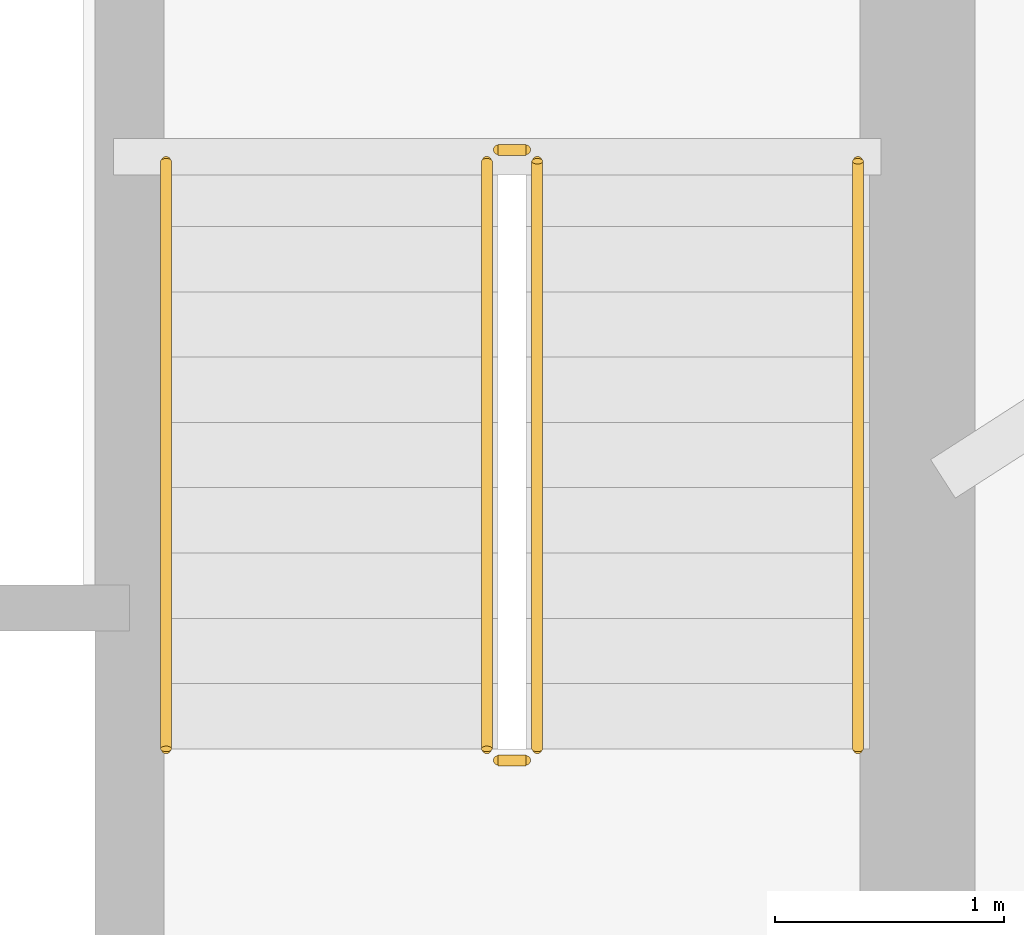
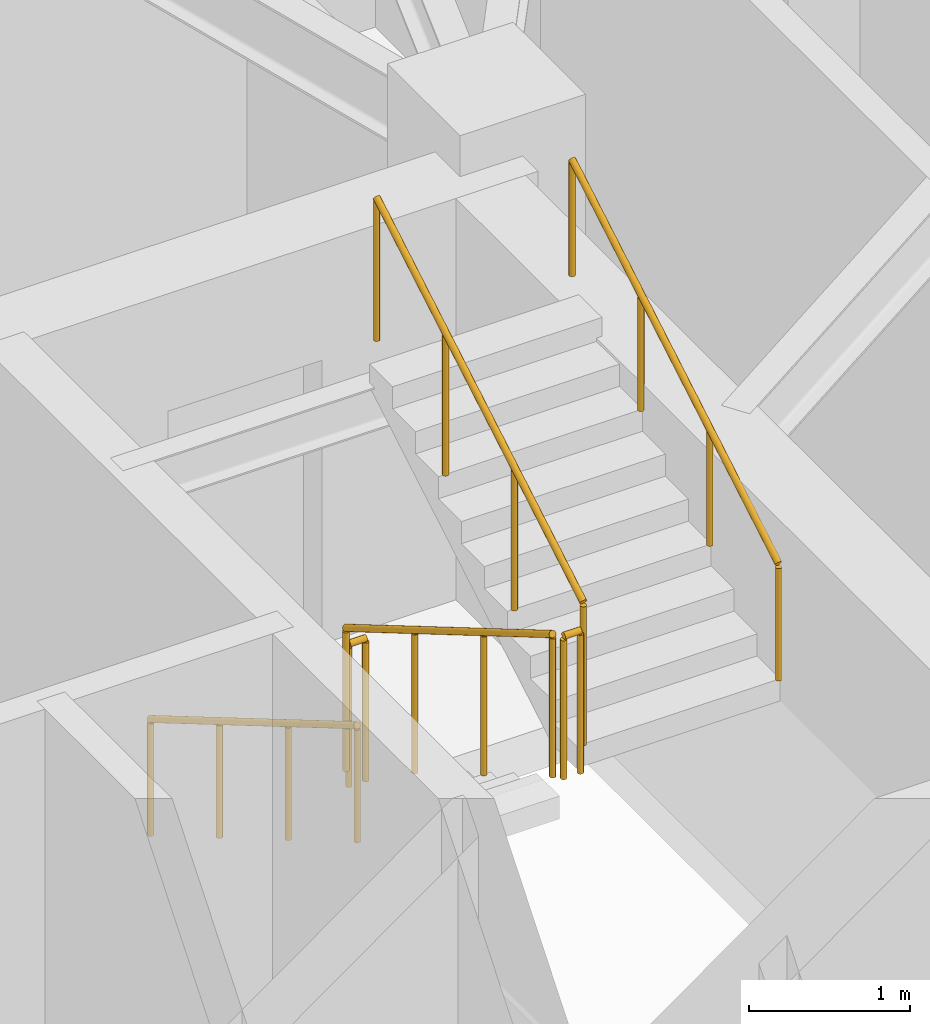
# One storey, part 19 of 19: 6 railings.
"""IFC4 building model written with IfcOpenShell, lengths in metres."""

from ifc_helpers import new_model, si_unit, direction, frame, origin, origin_2d, place, context, subcontext, project, spatial, circle, extrude, material, type_object, element, save


model = new_model("IFC4")

# Units and contexts
model_context = context("Model", 3, precision=1e-05, world=origin(), true_north=direction((0.0, 1.0)))
body_context = subcontext(model_context, "Body", "Model", "MODEL_VIEW")
ifc_project = project(units=[si_unit("LENGTHUNIT", "METRE"), si_unit("AREAUNIT", "SQUARE_METRE"), si_unit("VOLUMEUNIT", "CUBIC_METRE"), si_unit("PLANEANGLEUNIT", "RADIAN"), si_unit("MASSUNIT", "GRAM", prefix="KILO")], contexts=[model_context])

# Site, building, storey
site_placement = place(None, origin())
site = spatial("IfcSite", under=ifc_project, at=site_placement, CompositionType="ELEMENT")
building_placement = place(site_placement, origin())
building = spatial("IfcBuilding", under=site, at=building_placement, Name="Qobustan Lattice House", CompositionType="ELEMENT")
storey_placement = place(building_placement, frame((0.0, 0.0, 137.699951171875)))
storey = spatial("IfcBuildingStorey", under=building, at=storey_placement, Name="L38", CompositionType="ELEMENT", Elevation=137.699951171875)

# Railings
ifc_material_1 = material(Name="Brushed stainless steel handrail", Category="steel")
railing_type_1 = type_object("IfcRailingType", Name="RAL-HR-920", PredefinedType="HANDRAIL", material=ifc_material_1)
railing_1_placement = place(storey_placement, frame((15.179931640625, 3.5, 0.16748046875)))
element("IfcRailing", 1, at=railing_1_placement, inside=storey, type_object=railing_type_1, Name="L38 ST-E1 stair handrail 1", PredefinedType="HANDRAIL", context=body_context, shape_type="SweptSolid", body=[
    extrude(circle(Radius=0.02392578125, at=origin_2d()), frame((0.0, 0.0, 0.8759765625), z_axis=(0.0, -0.862113467892, 0.50671527358), x_axis=(1.0, 0.0, 0.0)), (0.0, 0.0, 1.0), 2.97509765625),
    extrude(circle(Radius=0.02099609375, at=origin_2d()), origin(), (0.0, 0.0, 1.0), 0.851806640625),
    extrude(circle(Radius=0.02099609375, at=origin_2d()), frame((0.0, -0.85498046875, 0.50244140625)), (0.0, 0.0, 1.0), 0.851806640625),
    extrude(circle(Radius=0.02099609375, at=origin_2d()), frame((0.0, -1.7099609375, 1.005126953125)), (0.0, 0.0, 1.0), 0.851806640625),
    extrude(circle(Radius=0.02099609375, at=origin_2d()), frame((0.0, -2.56494140625, 1.507568359375)), (0.0, 0.0, 1.0), 0.851806640625),
])
railing_2_placement = place(storey_placement, frame((18.199951171875, 0.93505859375, 1.842529296875)))
element("IfcRailing", 2, at=railing_2_placement, inside=storey, type_object=railing_type_1, Name="L38 ST-E1 stair handrail 2", PredefinedType="HANDRAIL", context=body_context, shape_type="SweptSolid", body=[
    extrude(circle(Radius=0.02392578125, at=origin_2d()), frame((0.0, 0.0, 0.8759765625), z_axis=(0.0, 0.862113467892, 0.50671527358), x_axis=(-1.0, 0.0, 0.0)), (0.0, 0.0, 1.0), 2.97509765625),
    extrude(circle(Radius=0.02099609375, at=origin_2d()), origin(), (0.0, 0.0, 1.0), 0.851806640625),
    extrude(circle(Radius=0.02099609375, at=origin_2d()), frame((0.0, 0.85498046875, 0.50244140625)), (0.0, 0.0, 1.0), 0.851806640625),
    extrude(circle(Radius=0.02099609375, at=origin_2d()), frame((0.0, 1.7099609375, 1.005126953125)), (0.0, 0.0, 1.0), 0.851806640625),
    extrude(circle(Radius=0.02099609375, at=origin_2d()), frame((0.0, 2.56494140625, 1.507568359375)), (0.0, 0.0, 1.0), 0.851806640625),
])
ifc_material_2 = material(Name="Painted galvanized steel guardrail", Category="steel")
railing_type_2 = type_object("IfcRailingType", Name="RAL-STG-1150", PredefinedType="GUARDRAIL", material=ifc_material_2)
railing_3_placement = place(storey_placement, frame((16.580078125, 3.5, 0.16748046875)))
element("IfcRailing", 3, at=railing_3_placement, inside=storey, type_object=railing_type_2, Name="L38 ST-E1 stair guard 1", PredefinedType="GUARDRAIL", context=body_context, shape_type="SweptSolid", body=[
    extrude(circle(Radius=0.02392578125, at=origin_2d()), frame((0.0, 0.0, 1.076171875), z_axis=(0.0, -0.862113467892, 0.50671527358), x_axis=(1.0, 0.0, 0.0)), (0.0, 0.0, 1.0), 2.97509765625),
    extrude(circle(Radius=0.02099609375, at=origin_2d()), origin(), (0.0, 0.0, 1.0), 1.052001953125),
    extrude(circle(Radius=0.02099609375, at=origin_2d()), frame((0.0, -0.85498046875, 0.50244140625)), (0.0, 0.0, 1.0), 1.052001953125),
    extrude(circle(Radius=0.02099609375, at=origin_2d()), frame((0.0, -1.7099609375, 1.005126953125)), (0.0, 0.0, 1.0), 1.052001953125),
    extrude(circle(Radius=0.02099609375, at=origin_2d()), frame((0.0, -2.56494140625, 1.507568359375)), (0.0, 0.0, 1.0), 1.052001953125),
])
railing_4_placement = place(storey_placement, frame((16.6298828125, 0.885009765625, 1.675048828125)))
element("IfcRailing", 4, at=railing_4_placement, inside=storey, type_object=railing_type_2, Name="L38 ST-E1 stair guard 2", PredefinedType="GUARDRAIL", context=body_context, shape_type="SweptSolid", body=[
    extrude(circle(Radius=0.02392578125, at=origin_2d()), frame((0.0, 0.0, 1.076171875), z_axis=(1.0, 0.0, 0.0), x_axis=(0.0, 1.0, 0.0)), (0.0, 0.0, 1.0), 0.1201171875),
    extrude(circle(Radius=0.02099609375, at=origin_2d()), origin(), (0.0, 0.0, 1.0), 1.052001953125),
    extrude(circle(Radius=0.02099609375, at=origin_2d()), frame((0.1201171875, 0.0, 0.0)), (0.0, 0.0, 1.0), 1.052001953125),
])
railing_5_placement = place(storey_placement, frame((16.800048828125, 0.93505859375, 1.842529296875)))
element("IfcRailing", 5, at=railing_5_placement, inside=storey, type_object=railing_type_2, Name="L38 ST-E1 stair guard 3", PredefinedType="GUARDRAIL", context=body_context, shape_type="SweptSolid", body=[
    extrude(circle(Radius=0.02392578125, at=origin_2d()), frame((0.0, 0.0, 1.076171875), z_axis=(0.0, 0.862113467892, 0.50671527358), x_axis=(-1.0, 0.0, 0.0)), (0.0, 0.0, 1.0), 2.97509765625),
    extrude(circle(Radius=0.02099609375, at=origin_2d()), origin(), (0.0, 0.0, 1.0), 1.052001953125),
    extrude(circle(Radius=0.02099609375, at=origin_2d()), frame((0.0, 0.85498046875, 0.50244140625)), (0.0, 0.0, 1.0), 1.052001953125),
    extrude(circle(Radius=0.02099609375, at=origin_2d()), frame((0.0, 1.7099609375, 1.005126953125)), (0.0, 0.0, 1.0), 1.052001953125),
    extrude(circle(Radius=0.02099609375, at=origin_2d()), frame((0.0, 2.56494140625, 1.507568359375)), (0.0, 0.0, 1.0), 1.052001953125),
])
railing_6_placement = place(storey_placement, frame((16.6298828125, 3.550048828125, 0.0)))
element("IfcRailing", 6, at=railing_6_placement, inside=storey, type_object=railing_type_2, Name="L38 ST-E1 stair guard 4", PredefinedType="GUARDRAIL", context=body_context, shape_type="SweptSolid", body=[
    extrude(circle(Radius=0.02392578125, at=origin_2d()), frame((0.0, 0.0, 1.076171875), z_axis=(1.0, 0.0, 0.0), x_axis=(0.0, 1.0, 0.0)), (0.0, 0.0, 1.0), 0.1201171875),
    extrude(circle(Radius=0.02099609375, at=origin_2d()), origin(), (0.0, 0.0, 1.0), 1.052001953125),
    extrude(circle(Radius=0.02099609375, at=origin_2d()), frame((0.1201171875, 0.0, 0.0)), (0.0, 0.0, 1.0), 1.052001953125),
])

save(model, "model.ifc")
